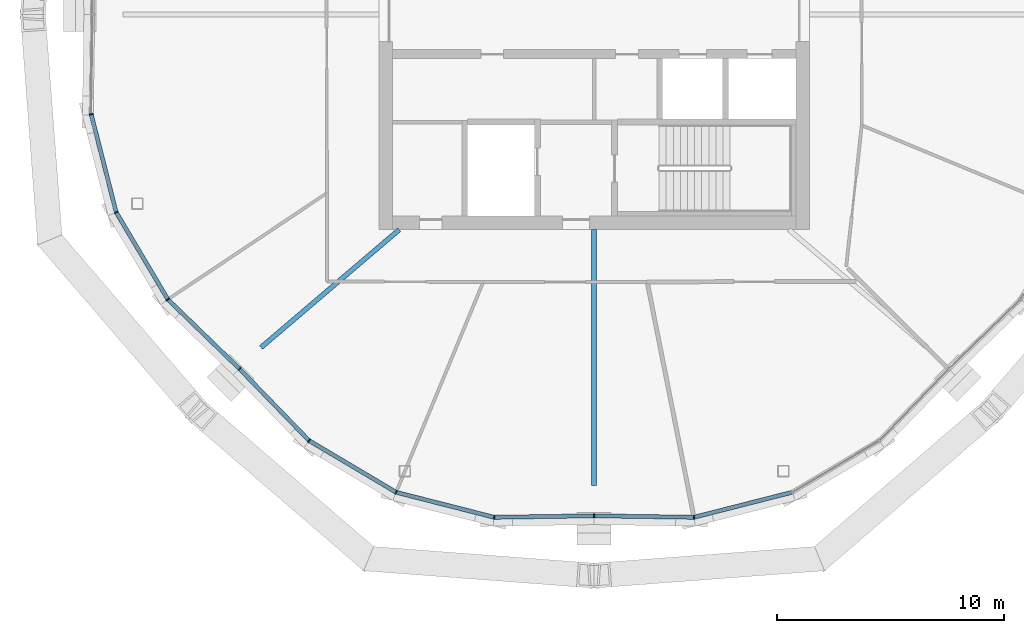
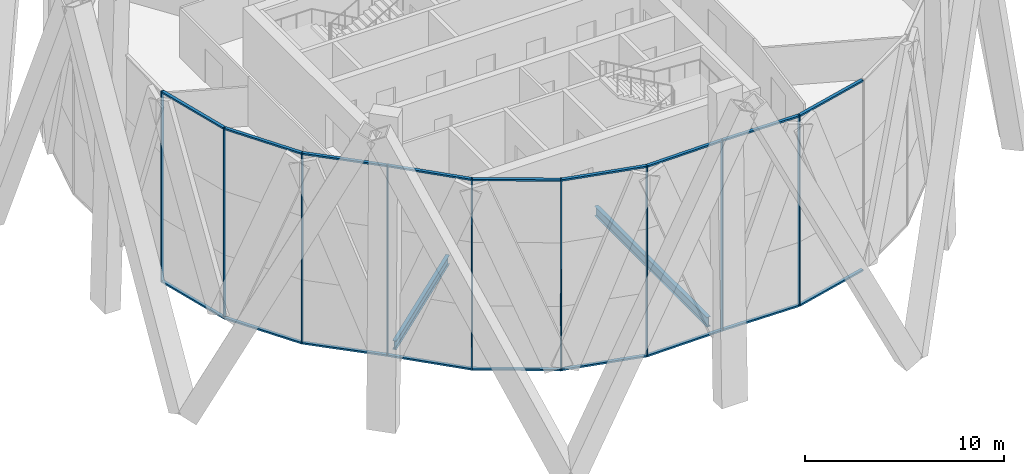
# One storey, part 3 of 23: 27 members, 2 beams, 3 elements without a shape of their own.
"""IFC4 building model written with IfcOpenShell, lengths in metres."""

from ifc_helpers import new_model, si_unit, direction, frame, origin, origin_2d, place, context, subcontext, project, spatial, rectangle, i_section, extrude, material, material_profile, profile_set, type_object, element, aggregate, save


model = new_model("IFC4")

# Units and contexts
model_context = context("Model", 3, precision=1e-05, world=origin(), true_north=direction((0.0, 1.0)))
body_context = subcontext(model_context, "Body", "Model", "MODEL_VIEW")
ifc_project = project(units=[si_unit("LENGTHUNIT", "METRE"), si_unit("AREAUNIT", "SQUARE_METRE"), si_unit("VOLUMEUNIT", "CUBIC_METRE"), si_unit("PLANEANGLEUNIT", "RADIAN"), si_unit("MASSUNIT", "GRAM", prefix="KILO")], contexts=[model_context])

# Site, building, storey
site_placement = place(None, origin())
site = spatial("IfcSite", under=ifc_project, at=site_placement, CompositionType="ELEMENT")
building_placement = place(site_placement, origin())
building = spatial("IfcBuilding", under=site, at=building_placement, Name="Ogive Gate Towers", CompositionType="ELEMENT")
storey_placement = place(building_placement, frame((0.0, 0.0, 165.60009765625)))
storey = spatial("IfcBuildingStorey", under=building, at=storey_placement, Name="L39", CompositionType="ELEMENT", Elevation=165.60009765625)

# Beams
ifc_material_1 = material(Name="Steel SM355", Category="steel")
ifc_material_profile_1 = material_profile(ifc_material_1, i_section(OverallWidth=0.2099609375, OverallDepth=0.550048828125, WebThickness=0.010986328125, FlangeThickness=0.01708984375, FilletRadius=0.02392578125, at=origin_2d()), Name="IPE 550")
ifc_profile_set_1 = profile_set([ifc_material_profile_1], Name="Steel SM355")
beam_type_1 = type_object("IfcBeamType", Name="Radial floor beam IPE 550", PredefinedType="BEAM", material=ifc_profile_set_1)
beam_1_placement = place(storey_placement, frame((-44.60009765625, -9.5, -0.5751953125), z_axis=(-0.761079266418, -0.648658885878, 0.0), x_axis=(0.648658885878, -0.761079266418, 0.0)))
element("IfcBeam", 1, at=beam_1_placement, inside=storey, type_object=beam_type_1, Name="T1/L39/SBM001", PredefinedType="BEAM", context=body_context, shape_type="SweptSolid", body=[
    extrude(i_section(OverallWidth=0.2099609375, OverallDepth=0.550048828125, WebThickness=0.010986328125, FlangeThickness=0.01708984375, FilletRadius=0.02392578125, at=origin_2d()), origin(), (0.0, 0.0, 1.0), 8.0048828125),
])
ifc_material_profile_2 = material_profile(ifc_material_1, i_section(OverallWidth=0.219970703125, OverallDepth=0.60009765625, WebThickness=0.011962890625, FlangeThickness=0.01904296875, FilletRadius=0.02392578125, at=origin_2d()), Name="IPE 600")
ifc_profile_set_2 = profile_set([ifc_material_profile_2], Name="Steel SM355")
beam_type_2 = type_object("IfcBeamType", Name="Radial floor beam IPE 600", PredefinedType="BEAM", material=ifc_profile_set_2)
beam_2_placement = place(storey_placement, frame((-36.0, -9.5, -0.60009765625), z_axis=(0.0, -1.0, 0.0), x_axis=(1.0, 0.0, 0.0)))
element("IfcBeam", 2, at=beam_2_placement, inside=storey, type_object=beam_type_2, Name="T1/L39/SBM002", PredefinedType="BEAM", context=body_context, shape_type="SweptSolid", body=[
    extrude(i_section(OverallWidth=0.219970703125, OverallDepth=0.60009765625, WebThickness=0.011962890625, FlangeThickness=0.01904296875, FilletRadius=0.02392578125, at=origin_2d()), origin(), (0.0, 0.0, 1.0), 11.278076171875),
])

# Curtain wall, members
ifc_material_2 = material(Name="Pale metal aluminium", Category="aluminium")
curtain_wall_type = type_object("IfcCurtainWallType", Name="Tower unitised wall, high zone", PredefinedType="NOTDEFINED", material=ifc_material_2)
curtain_wall_1_placement = place(storey_placement, origin())
curtain_wall_1 = element("IfcCurtainWall", 3, at=curtain_wall_1_placement, inside=storey, type_object=curtain_wall_type, Name="CW2 T1 ECW05", PredefinedType="NOTDEFINED")
ifc_material_profile_3 = material_profile(ifc_material_2, rectangle(XDim=0.179931640625, YDim=0.06005859375, at=origin_2d()), Name="60 x 180 aluminium box")
ifc_profile_set_3 = profile_set([ifc_material_profile_3], Name="Pale metal aluminium")
member_type_1 = type_object("IfcMemberType", Name="Tower unitised wall, high zone mullion 60 x 180", PredefinedType="MULLION", material=ifc_profile_set_3)
member_1_placement = place(storey_placement, frame((-58.1875, -4.406005859375, -0.300048828125), z_axis=(0.0, 0.0, 1.0), x_axis=(-0.993138030198, -0.116948078113, 0.0)))
member_1 = element("IfcMember", 4, at=member_1_placement, type_object=member_type_1, Name="CW2 mullion", PredefinedType="MULLION", context=body_context, shape_type="SweptSolid", body=[
    extrude(rectangle(XDim=0.179931640625, YDim=0.06005859375, at=origin_2d()), origin(), (0.0, 0.0, 1.0), 11.699951171875),
])
member_2_placement = place(storey_placement, frame((-57.083984375, -8.7333984375, -0.300048828125), z_axis=(0.0, 0.0, 1.0), x_axis=(-0.923879532511, -0.382683432365, 0.0)))
member_2 = element("IfcMember", 5, at=member_2_placement, type_object=member_type_1, Name="CW2 mullion", PredefinedType="MULLION", context=body_context, shape_type="SweptSolid", body=[
    extrude(rectangle(XDim=0.179931640625, YDim=0.06005859375, at=origin_2d()), origin(), (0.0, 0.0, 1.0), 11.699951171875),
])
member_3_placement = place(storey_placement, frame((-54.804443359375, -12.5732421875, -0.300048828125), z_axis=(0.0, 0.0, 1.0), x_axis=(-0.784949414887, -0.619559856727, 0.0)))
member_3 = element("IfcMember", 6, at=member_3_placement, type_object=member_type_1, Name="CW2 mullion", PredefinedType="MULLION", context=body_context, shape_type="SweptSolid", body=[
    extrude(rectangle(XDim=0.179931640625, YDim=0.06005859375, at=origin_2d()), origin(), (0.0, 0.0, 1.0), 11.699951171875),
])
member_4_placement = place(storey_placement, frame((-51.641357421875, -15.64111328125, -0.300048828125), z_axis=(0.0, 0.0, 1.0), x_axis=(-0.696238600306, -0.717810428625, 0.0)))
member_4 = element("IfcMember", 7, at=member_4_placement, type_object=member_type_1, Name="CW2 mullion", PredefinedType="MULLION", context=body_context, shape_type="SweptSolid", body=[
    extrude(rectangle(XDim=0.179931640625, YDim=0.06005859375, at=origin_2d()), origin(), (0.0, 0.0, 1.0), 11.699951171875),
])

curtain_wall_2_placement = place(storey_placement, origin())
curtain_wall_2 = element("IfcCurtainWall", 8, at=curtain_wall_2_placement, inside=storey, type_object=curtain_wall_type, Name="CW2 T1 ECW06", PredefinedType="NOTDEFINED")
member_5_placement = place(storey_placement, frame((-48.5732421875, -18.804443359375, -0.300048828125), z_axis=(0.0, 0.0, 1.0), x_axis=(-0.619559856727, -0.784949414887, 0.0)))
member_5 = element("IfcMember", 9, at=member_5_placement, type_object=member_type_1, Name="CW2 mullion", PredefinedType="MULLION", context=body_context, shape_type="SweptSolid", body=[
    extrude(rectangle(XDim=0.179931640625, YDim=0.06005859375, at=origin_2d()), origin(), (0.0, 0.0, 1.0), 11.699951171875),
])
member_6_placement = place(storey_placement, frame((-44.7333984375, -21.083984375, -0.300048828125), z_axis=(0.0, 0.0, 1.0), x_axis=(-0.382683432365, -0.923879532511, 0.0)))
member_6 = element("IfcMember", 10, at=member_6_placement, type_object=member_type_1, Name="CW2 mullion", PredefinedType="MULLION", context=body_context, shape_type="SweptSolid", body=[
    extrude(rectangle(XDim=0.179931640625, YDim=0.06005859375, at=origin_2d()), origin(), (0.0, 0.0, 1.0), 11.699951171875),
])
member_7_placement = place(storey_placement, frame((-40.406005859375, -22.1875, -0.300048828125), z_axis=(0.0, 0.0, 1.0), x_axis=(-0.116948078113, -0.993138030198, 0.0)))
member_7 = element("IfcMember", 11, at=member_7_placement, type_object=member_type_1, Name="CW2 mullion", PredefinedType="MULLION", context=body_context, shape_type="SweptSolid", body=[
    extrude(rectangle(XDim=0.179931640625, YDim=0.06005859375, at=origin_2d()), origin(), (0.0, 0.0, 1.0), 11.699951171875),
])
member_8_placement = place(storey_placement, frame((-36.000244140625, -22.1201171875, -0.300048828125), z_axis=(0.0, 0.0, 1.0), x_axis=(0.015271037347, -0.99988339091, 0.0)))
member_8 = element("IfcMember", 12, at=member_8_placement, type_object=member_type_1, Name="CW2 mullion", PredefinedType="MULLION", context=body_context, shape_type="SweptSolid", body=[
    extrude(rectangle(XDim=0.179931640625, YDim=0.06005859375, at=origin_2d()), origin(), (0.0, 0.0, 1.0), 11.699951171875),
])

# Curtain wall, member
curtain_wall_3_placement = place(storey_placement, origin())
curtain_wall_3 = element("IfcCurtainWall", 13, at=curtain_wall_3_placement, inside=storey, type_object=curtain_wall_type, Name="CW2 T1 ECW07", PredefinedType="NOTDEFINED")
member_9_placement = place(storey_placement, frame((-31.593994140625, -22.1875, -0.300048828125), z_axis=(0.0, 0.0, 1.0), x_axis=(0.116948078113, -0.993138030198, 0.0)))
member_9 = element("IfcMember", 14, at=member_9_placement, type_object=member_type_1, Name="CW2 mullion", PredefinedType="MULLION", context=body_context, shape_type="SweptSolid", body=[
    extrude(rectangle(XDim=0.179931640625, YDim=0.06005859375, at=origin_2d()), origin(), (0.0, 0.0, 1.0), 11.699951171875),
])

# Member
ifc_material_profile_4 = material_profile(ifc_material_2, rectangle(XDim=0.179931640625, YDim=0.10009765625, at=origin_2d()), Name="100 x 180 aluminium box")
ifc_profile_set_4 = profile_set([ifc_material_profile_4], Name="Pale metal aluminium")
member_type_2 = type_object("IfcMemberType", Name="Tower unitised wall, high zone transom 100 x 180", PredefinedType="USERDEFINED", material=ifc_profile_set_4)
member_10_placement = place(storey_placement, frame((-58.18017578125, -4.433837890625, 11.349853515625), z_axis=(0.247106686967, -0.968988279215, 0.0), x_axis=(0.968988279215, 0.247106686967, 0.0)))
member_10 = element("IfcMember", 15, at=member_10_placement, type_object=member_type_2, Name="CW2 transom", ObjectType="TRANSOM", PredefinedType="USERDEFINED", context=body_context, shape_type="SweptSolid", body=[
    extrude(rectangle(XDim=0.179931640625, YDim=0.10009765625, at=origin_2d()), origin(), (0.0, 0.0, 1.0), 4.408447265625),
])

member_11_placement = place(storey_placement, frame((-58.18017578125, -4.433837890625, -0.25), z_axis=(0.247106686967, -0.968988279215, 0.0), x_axis=(0.968988279215, 0.247106686967, 0.0)))
member_11 = element("IfcMember", 16, at=member_11_placement, type_object=member_type_2, Name="CW2 transom", ObjectType="TRANSOM", PredefinedType="USERDEFINED", context=body_context, shape_type="SweptSolid", body=[
    extrude(rectangle(XDim=0.179931640625, YDim=0.10009765625, at=origin_2d()), origin(), (0.0, 0.0, 1.0), 4.408447265625),
])

member_12_placement = place(storey_placement, frame((-57.069091796875, -8.7578125, 11.349853515625), z_axis=(0.5104504611, -0.859907161712, 0.0), x_axis=(0.859907161712, 0.5104504611, 0.0)))
member_12 = element("IfcMember", 17, at=member_12_placement, type_object=member_type_2, Name="CW2 transom", ObjectType="TRANSOM", PredefinedType="USERDEFINED", context=body_context, shape_type="SweptSolid", body=[
    extrude(rectangle(XDim=0.179931640625, YDim=0.10009765625, at=origin_2d()), origin(), (0.0, 0.0, 1.0), 4.408447265625),
])

member_13_placement = place(storey_placement, frame((-57.069091796875, -8.7578125, -0.25), z_axis=(0.5104504611, -0.859907161712, 0.0), x_axis=(0.859907161712, 0.5104504611, 0.0)))
member_13 = element("IfcMember", 18, at=member_13_placement, type_object=member_type_2, Name="CW2 transom", ObjectType="TRANSOM", PredefinedType="USERDEFINED", context=body_context, shape_type="SweptSolid", body=[
    extrude(rectangle(XDim=0.179931640625, YDim=0.10009765625, at=origin_2d()), origin(), (0.0, 0.0, 1.0), 4.408447265625),
])

member_14_placement = place(storey_placement, frame((-54.78369140625, -12.59326171875, 11.349853515625), z_axis=(0.717834056166, -0.696214239877, 0.0), x_axis=(0.696214239877, 0.717834056166, 0.0)))
member_14 = element("IfcMember", 19, at=member_14_placement, type_object=member_type_2, Name="CW2 transom", ObjectType="TRANSOM", PredefinedType="USERDEFINED", context=body_context, shape_type="SweptSolid", body=[
    extrude(rectangle(XDim=0.179931640625, YDim=0.10009765625, at=origin_2d()), origin(), (0.0, 0.0, 1.0), 4.34765625),
])

member_15_placement = place(storey_placement, frame((-54.78369140625, -12.59326171875, -0.25), z_axis=(0.717834056166, -0.696214239877, 0.0), x_axis=(0.696214239877, 0.717834056166, 0.0)))
member_15 = element("IfcMember", 20, at=member_15_placement, type_object=member_type_2, Name="CW2 transom", ObjectType="TRANSOM", PredefinedType="USERDEFINED", context=body_context, shape_type="SweptSolid", body=[
    extrude(rectangle(XDim=0.179931640625, YDim=0.10009765625, at=origin_2d()), origin(), (0.0, 0.0, 1.0), 4.34765625),
])

aggregate(curtain_wall_1, [member_1, member_2, member_10, member_11, member_3, member_12, member_13, member_4, member_14, member_15])

member_16_placement = place(storey_placement, frame((-51.6201171875, -15.662841796875, 11.349853515625), z_axis=(0.696214239877, -0.717834056166, 0.0), x_axis=(0.717834056166, 0.696214239877, 0.0)))
member_16 = element("IfcMember", 21, at=member_16_placement, type_object=member_type_2, Name="CW2 transom", ObjectType="TRANSOM", PredefinedType="USERDEFINED", context=body_context, shape_type="SweptSolid", body=[
    extrude(rectangle(XDim=0.179931640625, YDim=0.10009765625, at=origin_2d()), origin(), (0.0, 0.0, 1.0), 4.34765625),
])

member_17_placement = place(storey_placement, frame((-51.6201171875, -15.662841796875, -0.25), z_axis=(0.696214239877, -0.717834056166, 0.0), x_axis=(0.717834056166, 0.696214239877, 0.0)))
member_17 = element("IfcMember", 22, at=member_17_placement, type_object=member_type_2, Name="CW2 transom", ObjectType="TRANSOM", PredefinedType="USERDEFINED", context=body_context, shape_type="SweptSolid", body=[
    extrude(rectangle(XDim=0.179931640625, YDim=0.10009765625, at=origin_2d()), origin(), (0.0, 0.0, 1.0), 4.34765625),
])

member_18_placement = place(storey_placement, frame((-48.548583984375, -18.81884765625, 11.349853515625), z_axis=(0.859907161712, -0.5104504611, 0.0), x_axis=(0.5104504611, 0.859907161712, 0.0)))
member_18 = element("IfcMember", 23, at=member_18_placement, type_object=member_type_2, Name="CW2 transom", ObjectType="TRANSOM", PredefinedType="USERDEFINED", context=body_context, shape_type="SweptSolid", body=[
    extrude(rectangle(XDim=0.179931640625, YDim=0.10009765625, at=origin_2d()), origin(), (0.0, 0.0, 1.0), 4.408447265625),
])

member_19_placement = place(storey_placement, frame((-48.548583984375, -18.81884765625, -0.25), z_axis=(0.859907161712, -0.5104504611, 0.0), x_axis=(0.5104504611, 0.859907161712, 0.0)))
member_19 = element("IfcMember", 24, at=member_19_placement, type_object=member_type_2, Name="CW2 transom", ObjectType="TRANSOM", PredefinedType="USERDEFINED", context=body_context, shape_type="SweptSolid", body=[
    extrude(rectangle(XDim=0.179931640625, YDim=0.10009765625, at=origin_2d()), origin(), (0.0, 0.0, 1.0), 4.408447265625),
])

member_20_placement = place(storey_placement, frame((-44.70556640625, -21.0908203125, 11.349853515625), z_axis=(0.968988279215, -0.247106686967, 0.0), x_axis=(0.247106686967, 0.968988279215, 0.0)))
member_20 = element("IfcMember", 25, at=member_20_placement, type_object=member_type_2, Name="CW2 transom", ObjectType="TRANSOM", PredefinedType="USERDEFINED", context=body_context, shape_type="SweptSolid", body=[
    extrude(rectangle(XDim=0.179931640625, YDim=0.10009765625, at=origin_2d()), origin(), (0.0, 0.0, 1.0), 4.408447265625),
])

member_21_placement = place(storey_placement, frame((-44.70556640625, -21.0908203125, -0.25), z_axis=(0.968988279215, -0.247106686967, 0.0), x_axis=(0.247106686967, 0.968988279215, 0.0)))
member_21 = element("IfcMember", 26, at=member_21_placement, type_object=member_type_2, Name="CW2 transom", ObjectType="TRANSOM", PredefinedType="USERDEFINED", context=body_context, shape_type="SweptSolid", body=[
    extrude(rectangle(XDim=0.179931640625, YDim=0.10009765625, at=origin_2d()), origin(), (0.0, 0.0, 1.0), 4.408447265625),
])

member_22_placement = place(storey_placement, frame((-40.37744140625, -22.186767578125, 11.349853515625), z_axis=(0.999884215177, 0.015216972107, 0.0), x_axis=(-0.015216972107, 0.999884215177, 0.0)))
member_22 = element("IfcMember", 27, at=member_22_placement, type_object=member_type_2, Name="CW2 transom", ObjectType="TRANSOM", PredefinedType="USERDEFINED", context=body_context, shape_type="SweptSolid", body=[
    extrude(rectangle(XDim=0.179931640625, YDim=0.10009765625, at=origin_2d()), origin(), (0.0, 0.0, 1.0), 4.347900390625),
])

member_23_placement = place(storey_placement, frame((-40.37744140625, -22.186767578125, -0.25), z_axis=(0.999884215177, 0.015216972107, 0.0), x_axis=(-0.015216972107, 0.999884215177, 0.0)))
member_23 = element("IfcMember", 28, at=member_23_placement, type_object=member_type_2, Name="CW2 transom", ObjectType="TRANSOM", PredefinedType="USERDEFINED", context=body_context, shape_type="SweptSolid", body=[
    extrude(rectangle(XDim=0.179931640625, YDim=0.10009765625, at=origin_2d()), origin(), (0.0, 0.0, 1.0), 4.347900390625),
])

aggregate(curtain_wall_2, [member_5, member_16, member_17, member_6, member_18, member_19, member_7, member_20, member_21, member_8, member_22, member_23])

member_24_placement = place(storey_placement, frame((-35.969970703125, -22.12060546875, 11.349853515625), z_axis=(0.999884215177, -0.015216972107, 0.0), x_axis=(0.015216972107, 0.999884215177, 0.0)))
member_24 = element("IfcMember", 29, at=member_24_placement, type_object=member_type_2, Name="CW2 transom", ObjectType="TRANSOM", PredefinedType="USERDEFINED", context=body_context, shape_type="SweptSolid", body=[
    extrude(rectangle(XDim=0.179931640625, YDim=0.10009765625, at=origin_2d()), origin(), (0.0, 0.0, 1.0), 4.347900390625),
])

member_25_placement = place(storey_placement, frame((-35.969970703125, -22.12060546875, -0.25), z_axis=(0.999884215177, -0.015216972107, 0.0), x_axis=(0.015216972107, 0.999884215177, 0.0)))
member_25 = element("IfcMember", 30, at=member_25_placement, type_object=member_type_2, Name="CW2 transom", ObjectType="TRANSOM", PredefinedType="USERDEFINED", context=body_context, shape_type="SweptSolid", body=[
    extrude(rectangle(XDim=0.179931640625, YDim=0.10009765625, at=origin_2d()), origin(), (0.0, 0.0, 1.0), 4.347900390625),
])

member_26_placement = place(storey_placement, frame((-31.566162109375, -22.18017578125, 11.349853515625), z_axis=(0.968988279215, 0.247106686967, 0.0), x_axis=(-0.247106686967, 0.968988279215, 0.0)))
member_26 = element("IfcMember", 31, at=member_26_placement, type_object=member_type_2, Name="CW2 transom", ObjectType="TRANSOM", PredefinedType="USERDEFINED", context=body_context, shape_type="SweptSolid", body=[
    extrude(rectangle(XDim=0.179931640625, YDim=0.10009765625, at=origin_2d()), origin(), (0.0, 0.0, 1.0), 4.408447265625),
])

member_27_placement = place(storey_placement, frame((-31.566162109375, -22.18017578125, -0.25), z_axis=(0.968988279215, 0.247106686967, 0.0), x_axis=(-0.247106686967, 0.968988279215, 0.0)))
member_27 = element("IfcMember", 32, at=member_27_placement, type_object=member_type_2, Name="CW2 transom", ObjectType="TRANSOM", PredefinedType="USERDEFINED", context=body_context, shape_type="SweptSolid", body=[
    extrude(rectangle(XDim=0.179931640625, YDim=0.10009765625, at=origin_2d()), origin(), (0.0, 0.0, 1.0), 4.408447265625),
])

aggregate(curtain_wall_3, [member_9, member_24, member_25, member_26, member_27])

save(model, "model.ifc")
